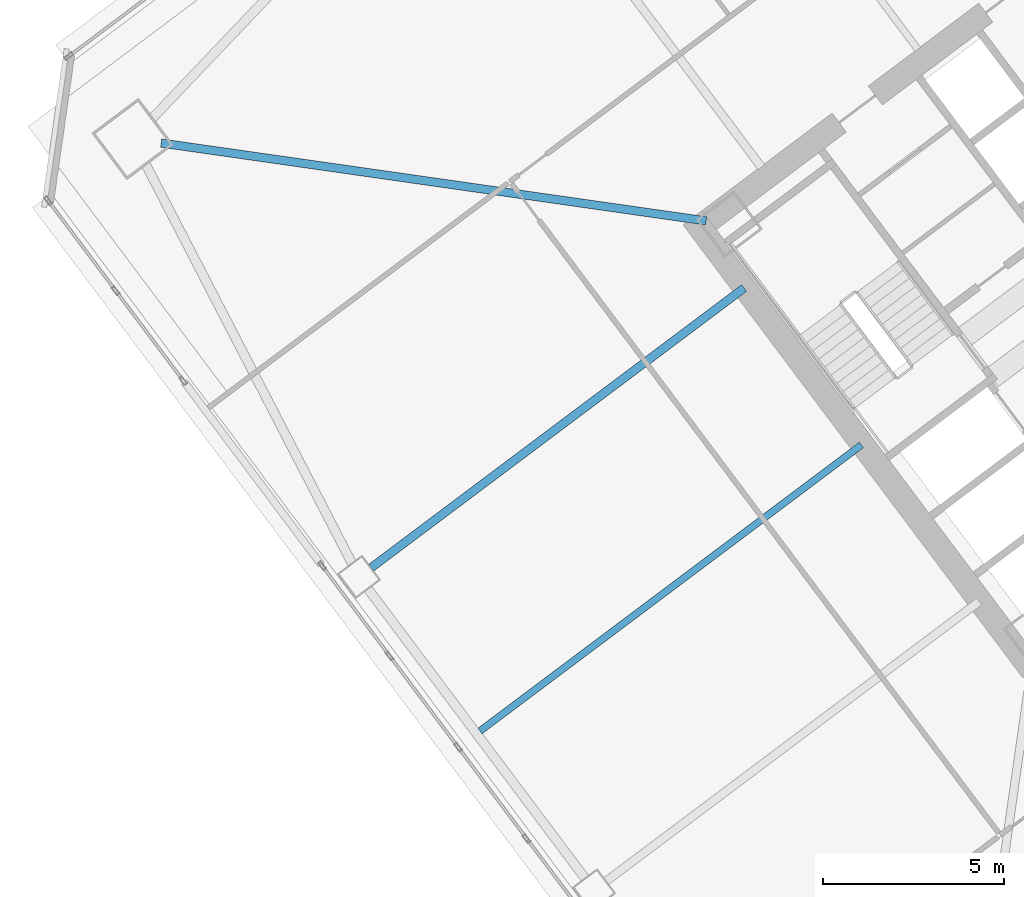
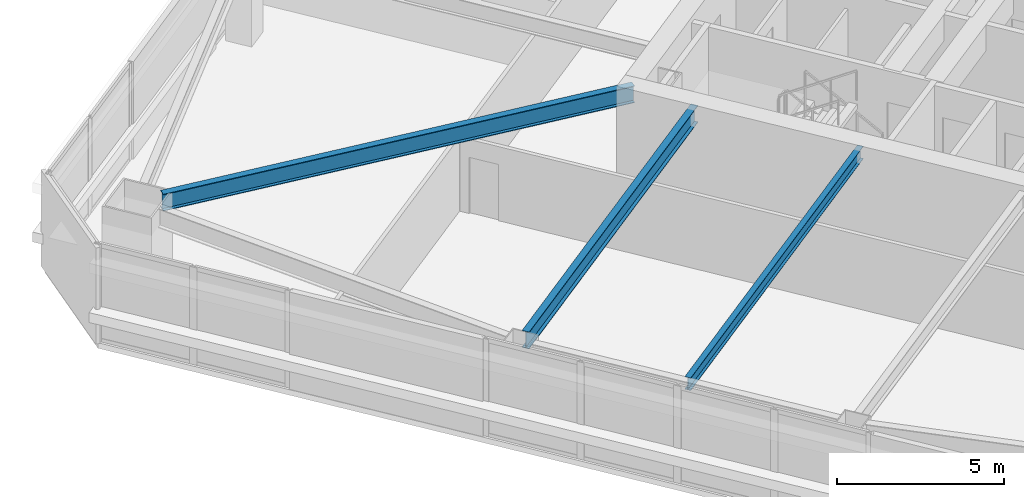
# One storey, part 22 of 47: 3 beams.
"""IFC4 building model written with IfcOpenShell, lengths in metres."""

from ifc_helpers import new_model, si_unit, direction, frame, origin, origin_2d, place, context, subcontext, project, spatial, i_section, extrude, material, material_profile, profile_set, type_object, element, save


model = new_model("IFC4")

# Units and contexts
model_context = context("Model", 3, precision=1e-05, world=origin(), true_north=direction((0.0, 1.0)))
body_context = subcontext(model_context, "Body", "Model", "MODEL_VIEW")
ifc_project = project(units=[si_unit("LENGTHUNIT", "METRE"), si_unit("AREAUNIT", "SQUARE_METRE"), si_unit("VOLUMEUNIT", "CUBIC_METRE"), si_unit("PLANEANGLEUNIT", "RADIAN"), si_unit("MASSUNIT", "GRAM", prefix="KILO")], contexts=[model_context])

# Site, building, storey
site_placement = place(None, origin())
site = spatial("IfcSite", under=ifc_project, at=site_placement, CompositionType="ELEMENT")
building_placement = place(site_placement, origin())
building = spatial("IfcBuilding", under=site, at=building_placement, Name="Tashvorn Skyway Center", CompositionType="ELEMENT")
storey_placement = place(building_placement, frame((0.0, 0.0, 42.35009765625)))
storey = spatial("IfcBuildingStorey", under=building, at=storey_placement, Name="L10", CompositionType="ELEMENT", Elevation=42.35009765625)

# Beams
ifc_material = material(Name="Steel ASTM A992 Grade 50", Category="steel")
ifc_material_profile_1 = material_profile(ifc_material, i_section(OverallWidth=0.22998046875, OverallDepth=0.616943359375, WebThickness=0.01318359375, FlangeThickness=0.022216796875, at=origin_2d()), Name="W24X94")
ifc_profile_set_1 = profile_set([ifc_material_profile_1], Name="Steel ASTM A992 Grade 50")
beam_type_1 = type_object("IfcBeamType", Name="BM-BEAM-W24X94", PredefinedType="BEAM", material=ifc_profile_set_1)
beam_1_placement = place(storey_placement, frame((88.467041015625, 35.6474609375, 3.04150390625), z_axis=(0.989950458816, -0.141414599991, 0.0), x_axis=(0.141414599991, 0.989950458816, 0.0)))
element("IfcBeam", 1, at=beam_1_placement, inside=storey, type_object=beam_type_1, Name="Tower 2 L10 Primary Floor Girder MC-NW", PredefinedType="BEAM", context=body_context, shape_type="SweptSolid", body=[
    extrude(i_section(OverallWidth=0.22998046875, OverallDepth=0.616943359375, WebThickness=0.01318359375, FlangeThickness=0.022216796875, at=origin_2d()), origin(), (0.0, 0.0, 1.0), 15.177001953125),
])
beam_2_placement = place(storey_placement, frame((94.256103515625, 23.94189453125, 3.04150390625), z_axis=(0.799986320265, 0.600018239213, 0.0), x_axis=(-0.600018239213, 0.799986320265, 0.0)))
element("IfcBeam", 2, at=beam_2_placement, inside=storey, type_object=beam_type_1, Name="Tower 2 L10 Primary Floor Girder FC-W1", PredefinedType="BEAM", context=body_context, shape_type="SweptSolid", body=[
    extrude(i_section(OverallWidth=0.22998046875, OverallDepth=0.616943359375, WebThickness=0.01318359375, FlangeThickness=0.022216796875, at=origin_2d()), origin(), (0.0, 0.0, 1.0), 12.849853515625),
])
ifc_material_profile_2 = material_profile(ifc_material, i_section(OverallWidth=0.19091796875, OverallDepth=0.4599609375, WebThickness=0.010009765625, FlangeThickness=0.01611328125, at=origin_2d()), Name="W18X55")
ifc_profile_set_2 = profile_set([ifc_material_profile_2], Name="Steel ASTM A992 Grade 50")
beam_type_2 = type_object("IfcBeamType", Name="BM-JOIST-W18X55", PredefinedType="JOIST", material=ifc_profile_set_2)
beam_3_placement = place(storey_placement, frame((107.76806640625, 27.325927734375, 3.119873046875), z_axis=(-0.799997770398, -0.600002972791, 0.0), x_axis=(0.600002972791, -0.799997770398, 0.0)))
element("IfcBeam", 3, at=beam_3_placement, inside=storey, type_object=beam_type_2, Name="Tower 2 L10 Secondary Composite Joist JW", PredefinedType="JOIST", context=body_context, shape_type="SweptSolid", body=[
    extrude(i_section(OverallWidth=0.19091796875, OverallDepth=0.4599609375, WebThickness=0.010009765625, FlangeThickness=0.01611328125, at=origin_2d()), origin(), (0.0, 0.0, 1.0), 13.139892578125),
])

save(model, "model.ifc")
